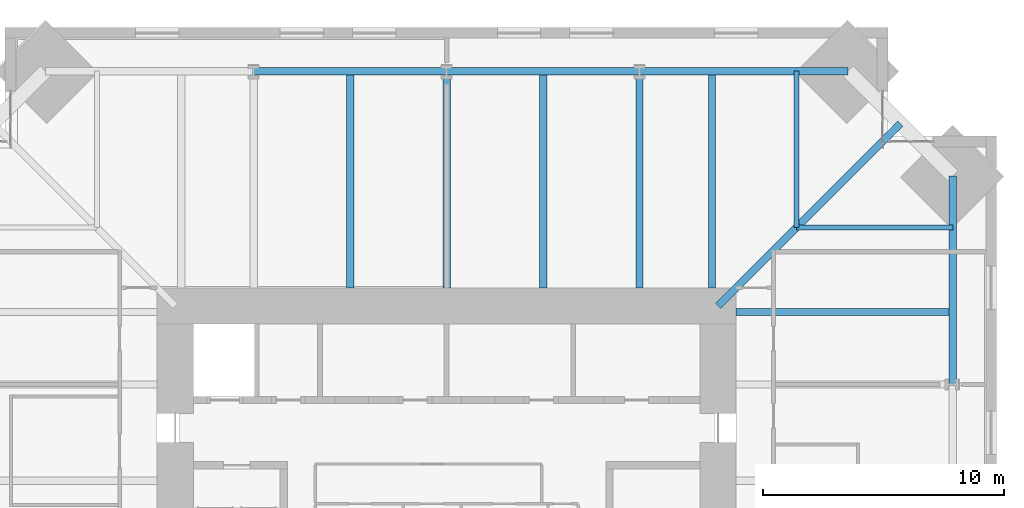
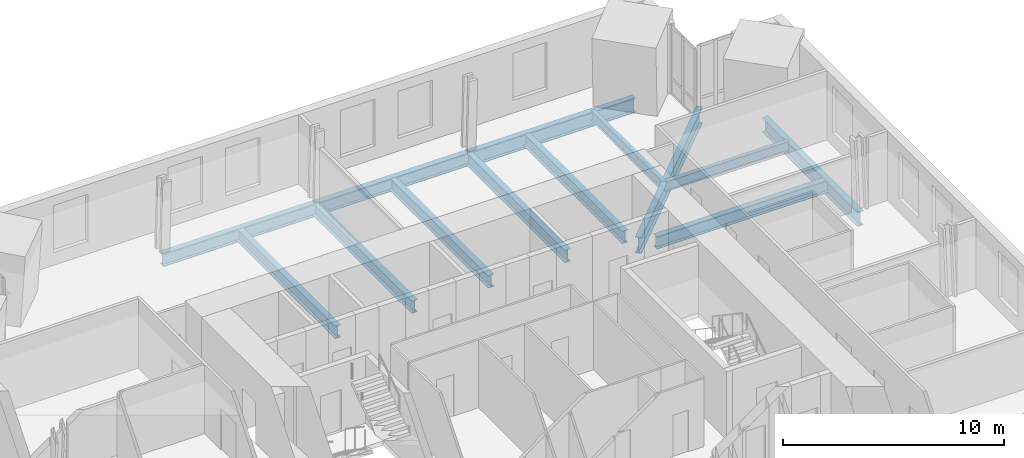
# One storey, part 7 of 15: 13 beams.
"""IFC4 building model written with IfcOpenShell, lengths in metres."""

from ifc_helpers import new_model, si_unit, direction, frame, origin, origin_2d, place, context, subcontext, project, spatial, i_section, extrude, material, material_profile, profile_set, type_object, element, save


model = new_model("IFC4")

# Units and contexts
model_context = context("Model", 3, precision=1e-05, world=origin(), true_north=direction((0.0, 1.0)))
body_context = subcontext(model_context, "Body", "Model", "MODEL_VIEW")
ifc_project = project(units=[si_unit("LENGTHUNIT", "METRE"), si_unit("AREAUNIT", "SQUARE_METRE"), si_unit("VOLUMEUNIT", "CUBIC_METRE"), si_unit("PLANEANGLEUNIT", "RADIAN"), si_unit("MASSUNIT", "GRAM", prefix="KILO")], contexts=[model_context])

# Site, building, storey
site_placement = place(None, origin())
site = spatial("IfcSite", under=ifc_project, at=site_placement, CompositionType="ELEMENT")
building_placement = place(site_placement, origin())
building = spatial("IfcBuilding", under=site, at=building_placement, Name="Peilmerk Tower", CompositionType="ELEMENT")
storey_placement = place(building_placement, frame((0.0, 0.0, 245.800048828125)))
storey = spatial("IfcBuildingStorey", under=building, at=storey_placement, Name="L54", CompositionType="ELEMENT", Elevation=245.800048828125)

# Beams
ifc_material = material(Name="Steel S355", Category="steel")
ifc_material_profile_1 = material_profile(ifc_material, i_section(OverallWidth=0.2099609375, OverallDepth=0.550048828125, WebThickness=0.010986328125, FlangeThickness=0.01708984375, at=origin_2d()), Name="IPE 550")
ifc_profile_set_1 = profile_set([ifc_material_profile_1], Name="Steel S355")
beam_type_1 = type_object("IfcBeamType", Name="B12 IPE 550 floor beam", PredefinedType="BEAM", material=ifc_profile_set_1)
for number, where, z_axis, x_axis, name in (
    (1, (14.5, 14.5, -0.445068359375), (0.0, 1.0, 0.0), (-1.0, 0.0, 0.0), "Floor beam L54"),
    (2, (14.5, 14.5, -0.445068359375), (1.0, 0.0, 0.0), (0.0, 1.0, 0.0), "Floor beam L54"),
):
    element("IfcBeam", number, at=place(storey_placement, frame(where, z_axis=z_axis, x_axis=x_axis)), inside=storey, type_object=beam_type_1, Name=name, PredefinedType="BEAM", context=body_context, shape_type="SweptSolid", body=[
        extrude(i_section(OverallWidth=0.2099609375, OverallDepth=0.550048828125, WebThickness=0.010986328125, FlangeThickness=0.01708984375, at=origin_2d()), origin(), (0.0, 0.0, 1.0), 6.485595703125),
    ])
ifc_material_profile_2 = material_profile(ifc_material, i_section(OverallWidth=0.302978515625, OverallDepth=0.81396484375, WebThickness=0.02099609375, FlangeThickness=0.0400390625, at=origin_2d()), Name="HEM 800")
ifc_profile_set_2 = profile_set([ifc_material_profile_2], Name="Steel S355")
beam_type_2 = type_object("IfcBeamType", Name="B15 HEM 800 edge beam", PredefinedType="SPANDREL", material=ifc_profile_set_2)
for number, where, z_axis, x_axis, name in (
    (3, (16.635498046875, 20.985595703125, -0.5771484375), (-1.0, 0.0, 0.0), (0.0, -1.0, 0.0), "Edge beam L54"),
    (4, (20.985595703125, 8.0, -0.5771484375), (0.0, 1.0, 0.0), (-1.0, 0.0, 0.0), "Edge beam L54"),
):
    element("IfcBeam", number, at=place(storey_placement, frame(where, z_axis=z_axis, x_axis=x_axis)), inside=storey, type_object=beam_type_2, Name=name, PredefinedType="SPANDREL", context=body_context, shape_type="SweptSolid", body=[
        extrude(i_section(OverallWidth=0.302978515625, OverallDepth=0.81396484375, WebThickness=0.02099609375, FlangeThickness=0.0400390625, at=origin_2d()), origin(), (0.0, 0.0, 1.0), 8.635498046875),
    ])
ifc_material_profile_3 = material_profile(ifc_material, i_section(OverallWidth=0.300048828125, OverallDepth=0.68994140625, WebThickness=0.014404296875, FlangeThickness=0.027099609375, at=origin_2d()), Name="HEA 700")
ifc_profile_set_3 = profile_set([ifc_material_profile_3], Name="Steel S355")
beam_type_3 = type_object("IfcBeamType", Name="B16 HEA 700 floor beam", PredefinedType="BEAM", material=ifc_profile_set_3)
for number, where, z_axis, x_axis, name in (
    (5, (11.0, 12.0, -0.51513671875), (0.0, 1.0, 0.0), (-1.0, 0.0, 0.0), "Floor beam L54"),
    (6, (8.0, 12.0, -0.51513671875), (0.0, 1.0, 0.0), (-1.0, 0.0, 0.0), "Floor beam L54"),
    (7, (4.0, 12.0, -0.51513671875), (0.0, 1.0, 0.0), (-1.0, 0.0, 0.0), "Floor beam L54"),
    (8, (0.0, 12.0, -0.51513671875), (0.0, 1.0, 0.0), (-1.0, 0.0, 0.0), "Floor beam L54"),
    (9, (-4.0, 12.0, -0.51513671875), (0.0, 1.0, 0.0), (-1.0, 0.0, 0.0), "Floor beam L54"),
    (10, (12.0, 11.0, -0.51513671875), (1.0, 0.0, 0.0), (0.0, 1.0, 0.0), "Floor beam L54"),
):
    element("IfcBeam", number, at=place(storey_placement, frame(where, z_axis=z_axis, x_axis=x_axis)), inside=storey, type_object=beam_type_3, Name=name, PredefinedType="BEAM", context=body_context, shape_type="SweptSolid", body=[
        extrude(i_section(OverallWidth=0.300048828125, OverallDepth=0.68994140625, WebThickness=0.014404296875, FlangeThickness=0.027099609375, at=origin_2d()), origin(), (0.0, 0.0, 1.0), 8.985595703125),
    ])
ifc_material_profile_4 = material_profile(ifc_material, i_section(OverallWidth=0.303955078125, OverallDepth=0.716064453125, WebThickness=0.02099609375, FlangeThickness=0.0400390625, at=origin_2d()), Name="HEM 700")
ifc_profile_set_4 = profile_set([ifc_material_profile_4], Name="Steel S355")
beam_type_4 = type_object("IfcBeamType", Name="B30 HEM 700 edge beam", PredefinedType="SPANDREL", material=ifc_profile_set_4)
for number, where, z_axis, x_axis, name in (
    (11, (8.0, 20.985595703125, -0.528076171875), (-1.0, 0.0, 0.0), (0.0, -1.0, 0.0), "Edge beam L54"),
    (12, (0.0, 20.985595703125, -0.528076171875), (-1.0, 0.0, 0.0), (0.0, -1.0, 0.0), "Edge beam L54"),
):
    element("IfcBeam", number, at=place(storey_placement, frame(where, z_axis=z_axis, x_axis=x_axis)), inside=storey, type_object=beam_type_4, Name=name, PredefinedType="SPANDREL", context=body_context, shape_type="SweptSolid", body=[
        extrude(i_section(OverallWidth=0.303955078125, OverallDepth=0.716064453125, WebThickness=0.02099609375, FlangeThickness=0.0400390625, at=origin_2d()), origin(), (0.0, 0.0, 1.0), 8.0),
    ])
ifc_material_profile_5 = material_profile(ifc_material, i_section(OverallWidth=0.300048828125, OverallDepth=0.889892578125, WebThickness=0.01611328125, FlangeThickness=0.030029296875, at=origin_2d()), Name="HEA 900")
ifc_profile_set_5 = profile_set([ifc_material_profile_5], Name="Steel S355")
beam_type_5 = type_object("IfcBeamType", Name="B4 HEA 900 floor beam", PredefinedType="BEAM", material=ifc_profile_set_5)
beam_placement = place(storey_placement, frame((11.25, 11.25, -0.614990234375), z_axis=(0.707106781187, 0.707106781187, 0.0), x_axis=(-0.707106781187, 0.707106781187, 0.0)))
element("IfcBeam", 13, at=beam_placement, inside=storey, type_object=beam_type_5, Name="Corner girder L54", PredefinedType="BEAM", context=body_context, shape_type="SweptSolid", body=[
    extrude(i_section(OverallWidth=0.300048828125, OverallDepth=0.889892578125, WebThickness=0.01611328125, FlangeThickness=0.030029296875, at=origin_2d()), origin(), (0.0, 0.0, 1.0), 10.692138671875),
])

save(model, "model.ifc")
